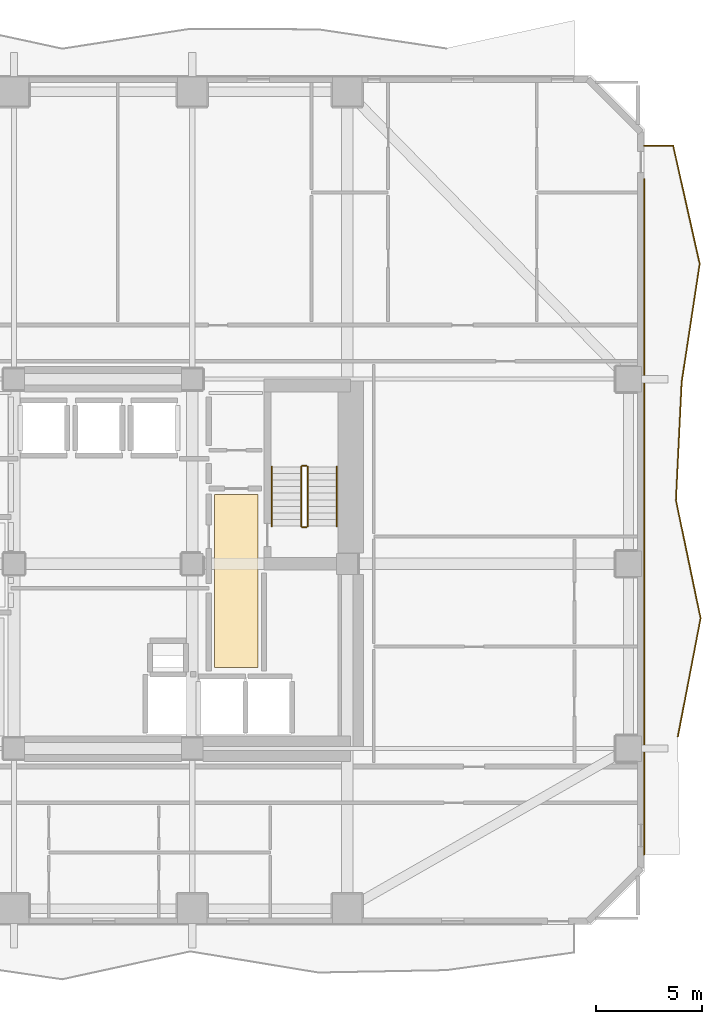
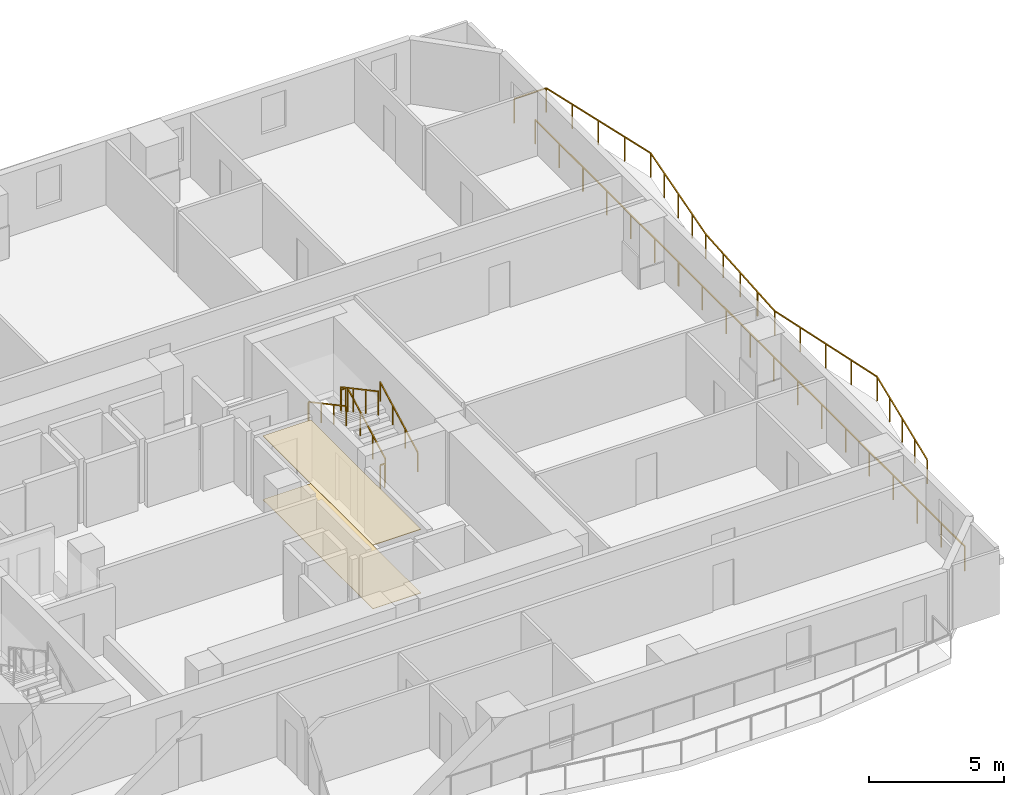
# One storey, part 9 of 10: 8 railings, 2 coverings.
"""IFC4 building model written with IfcOpenShell, lengths in metres."""

from ifc_helpers import new_model, si_unit, direction, frame, origin, origin_2d, place, context, subcontext, project, spatial, polyline, rectangle, outline, extrude, material, layer, layer_set, type_object, element, save


model = new_model("IFC4")

# Units and contexts
model_context = context("Model", 3, precision=1e-05, world=origin(), true_north=direction((0.0, 1.0)))
body_context = subcontext(model_context, "Body", "Model", "MODEL_VIEW")
ifc_project = project(units=[si_unit("LENGTHUNIT", "METRE"), si_unit("AREAUNIT", "SQUARE_METRE"), si_unit("VOLUMEUNIT", "CUBIC_METRE"), si_unit("PLANEANGLEUNIT", "RADIAN"), si_unit("MASSUNIT", "GRAM", prefix="KILO")], contexts=[model_context])

# Site, building, storey
site_placement = place(None, origin())
site = spatial("IfcSite", under=ifc_project, at=site_placement, CompositionType="ELEMENT")
building_placement = place(site_placement, origin())
building = spatial("IfcBuilding", under=site, at=building_placement, Name="Solanera Arch Residences", CompositionType="ELEMENT")
storey_placement = place(building_placement, frame((0.0, 0.0, 78.43994140625)))
storey = spatial("IfcBuildingStorey", under=building, at=storey_placement, Name="L22", CompositionType="ELEMENT", Elevation=78.43994140625)

# Railings
ifc_material_1 = material(Name="Steel S355 (ASTM A992 / A572 Grade 50)", Category="steel")
railing_type_1 = type_object("IfcRailingType", Name="Balustrade Railing BL-1100", PredefinedType="BALUSTRADE", material=ifc_material_1)
railing_1_placement = place(storey_placement, frame((52.076904296875, 22.56689453125, 0.0)))
element("IfcRailing", 1, at=railing_1_placement, inside=storey, type_object=railing_type_1, Name="L22 E Balcony Balustrade 1", PredefinedType="BALUSTRADE", context=body_context, shape_type="SweptSolid", body=[
    extrude(rectangle(XDim=0.048095703125, YDim=0.048095703125, at=origin_2d()), frame((0.0, 0.0, 1.09619140625), z_axis=(0.188954425989, 0.98198585779, 0.0), x_axis=(-0.98198585779, 0.188954425989, 0.0)), (0.0, 0.0, 1.0), 5.668212890625),
    extrude(rectangle(XDim=0.048095703125, YDim=0.048095703125, at=origin_2d()), frame((1.071044921875, 5.566162109375, 1.09619140625), z_axis=(-0.204307401555, 0.978906780889, 0.0), x_axis=(-0.978906780889, -0.204307401555, 0.0)), (0.0, 0.0, 1.0), 5.686767578125),
    extrude(rectangle(XDim=0.048095703125, YDim=0.048095703125, at=origin_2d()), frame((-0.0908203125, 11.133056640625, 1.09619140625), z_axis=(0.048445440001, 0.998825830334, 0.0), x_axis=(-0.998825830334, 0.048445440001, 0.0)), (0.0, 0.0, 1.0), 5.57373046875),
    extrude(rectangle(XDim=0.048095703125, YDim=0.048095703125, at=origin_2d()), frame((0.17919921875, 16.7001953125, 1.09619140625), z_axis=(0.150939477278, 0.988543005741, 0.0), x_axis=(-0.988543005741, 0.150939477278, 0.0)), (0.0, 0.0, 1.0), 5.63037109375),
    extrude(rectangle(XDim=0.048095703125, YDim=0.048095703125, at=origin_2d()), frame((1.029052734375, 22.26611328125, 1.09619140625), z_axis=(-0.219249498416, 0.975668825701, 0.0), x_axis=(-0.975668825701, -0.219249498416, 0.0)), (0.0, 0.0, 1.0), 5.705810546875),
    extrude(rectangle(XDim=0.048095703125, YDim=0.048095703125, at=origin_2d()), frame((-0.221923828125, 27.8330078125, 1.09619140625), z_axis=(-1.0, 0.0, 0.0), x_axis=(0.0, -1.0, 0.0)), (0.0, 0.0, 1.0), 1.375),
    extrude(rectangle(XDim=0.0419921875, YDim=0.0419921875, at=origin_2d()), origin(), (0.0, 0.0, 1.0), 1.072021484375),
    extrude(rectangle(XDim=0.0419921875, YDim=0.0419921875, at=origin_2d()), frame((0.267822265625, 1.3916015625, 0.0)), (0.0, 0.0, 1.0), 1.072021484375),
    extrude(rectangle(XDim=0.0419921875, YDim=0.0419921875, at=origin_2d()), frame((0.53564453125, 2.783203125, 0.0)), (0.0, 0.0, 1.0), 1.072021484375),
    extrude(rectangle(XDim=0.0419921875, YDim=0.0419921875, at=origin_2d()), frame((0.80322265625, 4.174560546875, 0.0)), (0.0, 0.0, 1.0), 1.072021484375),
    extrude(rectangle(XDim=0.0419921875, YDim=0.0419921875, at=origin_2d()), frame((1.071044921875, 5.566162109375, 0.0)), (0.0, 0.0, 1.0), 1.072021484375),
    extrude(rectangle(XDim=0.0419921875, YDim=0.0419921875, at=origin_2d()), frame((0.780517578125, 6.9580078125, 0.0)), (0.0, 0.0, 1.0), 1.072021484375),
    extrude(rectangle(XDim=0.0419921875, YDim=0.0419921875, at=origin_2d()), frame((0.490234375, 8.349609375, 0.0)), (0.0, 0.0, 1.0), 1.072021484375),
    extrude(rectangle(XDim=0.0419921875, YDim=0.0419921875, at=origin_2d()), frame((0.19970703125, 9.7412109375, 0.0)), (0.0, 0.0, 1.0), 1.072021484375),
    extrude(rectangle(XDim=0.0419921875, YDim=0.0419921875, at=origin_2d()), frame((-0.0908203125, 11.133056640625, 0.0)), (0.0, 0.0, 1.0), 1.072021484375),
    extrude(rectangle(XDim=0.0419921875, YDim=0.0419921875, at=origin_2d()), frame((-0.0234375, 12.52490234375, 0.0)), (0.0, 0.0, 1.0), 1.072021484375),
    extrude(rectangle(XDim=0.0419921875, YDim=0.0419921875, at=origin_2d()), frame((0.044189453125, 13.91650390625, 0.0)), (0.0, 0.0, 1.0), 1.072021484375),
    extrude(rectangle(XDim=0.0419921875, YDim=0.0419921875, at=origin_2d()), frame((0.11181640625, 15.308349609375, 0.0)), (0.0, 0.0, 1.0), 1.072021484375),
    extrude(rectangle(XDim=0.0419921875, YDim=0.0419921875, at=origin_2d()), frame((0.17919921875, 16.7001953125, 0.0)), (0.0, 0.0, 1.0), 1.072021484375),
    extrude(rectangle(XDim=0.0419921875, YDim=0.0419921875, at=origin_2d()), frame((0.3916015625, 18.091796875, 0.0)), (0.0, 0.0, 1.0), 1.072021484375),
    extrude(rectangle(XDim=0.0419921875, YDim=0.0419921875, at=origin_2d()), frame((0.60400390625, 19.483154296875, 0.0)), (0.0, 0.0, 1.0), 1.072021484375),
    extrude(rectangle(XDim=0.0419921875, YDim=0.0419921875, at=origin_2d()), frame((0.816650390625, 20.87451171875, 0.0)), (0.0, 0.0, 1.0), 1.072021484375),
    extrude(rectangle(XDim=0.0419921875, YDim=0.0419921875, at=origin_2d()), frame((1.029052734375, 22.26611328125, 0.0)), (0.0, 0.0, 1.0), 1.072021484375),
    extrude(rectangle(XDim=0.0419921875, YDim=0.0419921875, at=origin_2d()), frame((0.71630859375, 23.65771484375, 0.0)), (0.0, 0.0, 1.0), 1.072021484375),
    extrude(rectangle(XDim=0.0419921875, YDim=0.0419921875, at=origin_2d()), frame((0.403564453125, 25.049560546875, 0.0)), (0.0, 0.0, 1.0), 1.072021484375),
    extrude(rectangle(XDim=0.0419921875, YDim=0.0419921875, at=origin_2d()), frame((0.0908203125, 26.44140625, 0.0)), (0.0, 0.0, 1.0), 1.072021484375),
    extrude(rectangle(XDim=0.0419921875, YDim=0.0419921875, at=origin_2d()), frame((-0.221923828125, 27.8330078125, 0.0)), (0.0, 0.0, 1.0), 1.072021484375),
    extrude(rectangle(XDim=0.0419921875, YDim=0.0419921875, at=origin_2d()), frame((-1.596923828125, 27.8330078125, 0.0)), (0.0, 0.0, 1.0), 1.072021484375),
])
railing_2_placement = place(storey_placement, frame((50.47998046875, 48.833984375, 0.0)))
element("IfcRailing", 2, at=railing_2_placement, inside=storey, type_object=railing_type_1, Name="L22 E Balcony Balustrade 2", PredefinedType="BALUSTRADE", context=body_context, shape_type="SweptSolid", body=[
    extrude(rectangle(XDim=0.048095703125, YDim=0.048095703125, at=origin_2d()), frame((0.0, 0.0, 1.09619140625), z_axis=(0.0, -1.0, 0.0), x_axis=(1.0, 0.0, 0.0)), (0.0, 0.0, 1.0), 31.833984375),
    extrude(rectangle(XDim=0.0419921875, YDim=0.0419921875, at=origin_2d()), origin(), (0.0, 0.0, 1.0), 1.072021484375),
    extrude(rectangle(XDim=0.0419921875, YDim=0.0419921875, at=origin_2d()), frame((0.0, -1.7685546875, 0.0)), (0.0, 0.0, 1.0), 1.072021484375),
    extrude(rectangle(XDim=0.0419921875, YDim=0.0419921875, at=origin_2d()), frame((0.0, -3.537109375, 0.0)), (0.0, 0.0, 1.0), 1.072021484375),
    extrude(rectangle(XDim=0.0419921875, YDim=0.0419921875, at=origin_2d()), frame((0.0, -5.3056640625, 0.0)), (0.0, 0.0, 1.0), 1.072021484375),
    extrude(rectangle(XDim=0.0419921875, YDim=0.0419921875, at=origin_2d()), frame((0.0, -7.07421875, 0.0)), (0.0, 0.0, 1.0), 1.072021484375),
    extrude(rectangle(XDim=0.0419921875, YDim=0.0419921875, at=origin_2d()), frame((0.0, -8.8427734375, 0.0)), (0.0, 0.0, 1.0), 1.072021484375),
    extrude(rectangle(XDim=0.0419921875, YDim=0.0419921875, at=origin_2d()), frame((0.0, -10.611328125, 0.0)), (0.0, 0.0, 1.0), 1.072021484375),
    extrude(rectangle(XDim=0.0419921875, YDim=0.0419921875, at=origin_2d()), frame((0.0, -12.3798828125, 0.0)), (0.0, 0.0, 1.0), 1.072021484375),
    extrude(rectangle(XDim=0.0419921875, YDim=0.0419921875, at=origin_2d()), frame((0.0, -14.1484375, 0.0)), (0.0, 0.0, 1.0), 1.072021484375),
    extrude(rectangle(XDim=0.0419921875, YDim=0.0419921875, at=origin_2d()), frame((0.0, -15.9169921875, 0.0)), (0.0, 0.0, 1.0), 1.072021484375),
    extrude(rectangle(XDim=0.0419921875, YDim=0.0419921875, at=origin_2d()), frame((0.0, -17.685546875, 0.0)), (0.0, 0.0, 1.0), 1.072021484375),
    extrude(rectangle(XDim=0.0419921875, YDim=0.0419921875, at=origin_2d()), frame((0.0, -19.4541015625, 0.0)), (0.0, 0.0, 1.0), 1.072021484375),
    extrude(rectangle(XDim=0.0419921875, YDim=0.0419921875, at=origin_2d()), frame((0.0, -21.22265625, 0.0)), (0.0, 0.0, 1.0), 1.072021484375),
    extrude(rectangle(XDim=0.0419921875, YDim=0.0419921875, at=origin_2d()), frame((0.0, -22.9912109375, 0.0)), (0.0, 0.0, 1.0), 1.072021484375),
    extrude(rectangle(XDim=0.0419921875, YDim=0.0419921875, at=origin_2d()), frame((0.0, -24.759765625, 0.0)), (0.0, 0.0, 1.0), 1.072021484375),
    extrude(rectangle(XDim=0.0419921875, YDim=0.0419921875, at=origin_2d()), frame((0.0, -26.5283203125, 0.0)), (0.0, 0.0, 1.0), 1.072021484375),
    extrude(rectangle(XDim=0.0419921875, YDim=0.0419921875, at=origin_2d()), frame((0.0, -28.296875, 0.0)), (0.0, 0.0, 1.0), 1.072021484375),
    extrude(rectangle(XDim=0.0419921875, YDim=0.0419921875, at=origin_2d()), frame((0.0, -30.0654296875, 0.0)), (0.0, 0.0, 1.0), 1.072021484375),
    extrude(rectangle(XDim=0.0419921875, YDim=0.0419921875, at=origin_2d()), frame((0.0, -31.833984375, 0.0)), (0.0, 0.0, 1.0), 1.072021484375),
])

# Covering
ifc_material_2 = material(Name="Porcelain Acoustic Floor Tile", Category="ceramic")
ifc_layer_1 = layer(ifc_material_2, 0.02001953125)
ifc_layer_set_1 = layer_set([ifc_layer_1], Name="Porcelain Acoustic Floor Tile")
covering_type_1 = type_object("IfcCoveringType", Name="Porcelain Acoustic Floor Finish FLR-20", PredefinedType="FLOORING", material=ifc_layer_set_1)
covering_1_placement = place(storey_placement, origin())
element("IfcCovering", 3, at=covering_1_placement, inside=storey, type_object=covering_type_1, Name="L22-FFL-E Porcelain Floor Finish", PredefinedType="FLOORING", context=body_context, shape_type="SweptSolid", body=[
    extrude(outline(polyline([(32.304931640625, 25.824951171875), (30.25, 25.824951171875), (30.25, 33.97509765625), (32.304931640625, 33.97509765625), (32.304931640625, 25.824951171875)])), origin(), (0.0, 0.0, 1.0), 0.02001953125),
])

# Railings
ifc_material_3 = material(Name="Steel S355 (ASTM A992 / A572 Grade 50)", Category="steel")
railing_type_2 = type_object("IfcRailingType", Name="Stair Guardrail GR-1100", PredefinedType="GUARDRAIL", material=ifc_material_3)
railing_3_placement = place(storey_placement, frame((34.6298828125, 32.47998046875, 0.151123046875)))
element("IfcRailing", 4, at=railing_3_placement, inside=storey, type_object=railing_type_2, Name="L22 ST-T2 stair guard 1", PredefinedType="GUARDRAIL", context=body_context, shape_type="SweptSolid", body=[
    extrude(rectangle(XDim=0.048095703125, YDim=0.048095703125, at=origin_2d()), frame((0.0, 0.0, 1.076171875), z_axis=(0.0, 0.881580869306, 0.472033018838), x_axis=(-1.0, 0.0, 0.0)), (0.0, 0.0, 1.0), 3.164794921875),
    extrude(rectangle(XDim=0.0419921875, YDim=0.0419921875, at=origin_2d()), origin(), (0.0, 0.0, 1.0), 1.052001953125),
    extrude(rectangle(XDim=0.0419921875, YDim=0.0419921875, at=origin_2d()), frame((0.0, 0.929931640625, 0.498046875)), (0.0, 0.0, 1.0), 1.052001953125),
    extrude(rectangle(XDim=0.0419921875, YDim=0.0419921875, at=origin_2d()), frame((0.0, 1.860107421875, 0.995849609375)), (0.0, 0.0, 1.0), 1.052001953125),
    extrude(rectangle(XDim=0.0419921875, YDim=0.0419921875, at=origin_2d()), frame((0.0, 2.7900390625, 1.493896484375)), (0.0, 0.0, 1.0), 1.052001953125),
])
railing_4_placement = place(storey_placement, frame((34.580078125, 35.320068359375, 1.64501953125)))
element("IfcRailing", 5, at=railing_4_placement, inside=storey, type_object=railing_type_2, Name="L22 ST-T2 stair guard 2", PredefinedType="GUARDRAIL", context=body_context, shape_type="SweptSolid", body=[
    extrude(rectangle(XDim=0.048095703125, YDim=0.048095703125, at=origin_2d()), frame((0.0, 0.0, 1.076171875), z_axis=(-1.0, 0.0, 0.0), x_axis=(0.0, -1.0, 0.0)), (0.0, 0.0, 1.0), 0.2001953125),
    extrude(rectangle(XDim=0.0419921875, YDim=0.0419921875, at=origin_2d()), origin(), (0.0, 0.0, 1.0), 1.052001953125),
    extrude(rectangle(XDim=0.0419921875, YDim=0.0419921875, at=origin_2d()), frame((-0.2001953125, 0.0, 0.0)), (0.0, 0.0, 1.0), 1.052001953125),
])
railing_5_placement = place(storey_placement, frame((34.330078125, 35.27001953125, 1.81103515625)))
element("IfcRailing", 6, at=railing_5_placement, inside=storey, type_object=railing_type_2, Name="L22 ST-T2 stair guard 3", PredefinedType="GUARDRAIL", context=body_context, shape_type="SweptSolid", body=[
    extrude(rectangle(XDim=0.048095703125, YDim=0.048095703125, at=origin_2d()), frame((0.0, 0.0, 1.076171875), z_axis=(0.0, -0.881548766853, 0.472092969298), x_axis=(1.0, 0.0, 0.0)), (0.0, 0.0, 1.0), 3.1650390625),
    extrude(rectangle(XDim=0.0419921875, YDim=0.0419921875, at=origin_2d()), origin(), (0.0, 0.0, 1.0), 1.052001953125),
    extrude(rectangle(XDim=0.0419921875, YDim=0.0419921875, at=origin_2d()), frame((0.0, -0.929931640625, 0.498046875)), (0.0, 0.0, 1.0), 1.052001953125),
    extrude(rectangle(XDim=0.0419921875, YDim=0.0419921875, at=origin_2d()), frame((0.0, -1.860107421875, 0.99609375)), (0.0, 0.0, 1.0), 1.052001953125),
    extrude(rectangle(XDim=0.0419921875, YDim=0.0419921875, at=origin_2d()), frame((0.0, -2.7900390625, 1.494140625)), (0.0, 0.0, 1.0), 1.052001953125),
])
railing_6_placement = place(storey_placement, frame((34.580078125, 32.429931640625, -0.014892578125)))
element("IfcRailing", 7, at=railing_6_placement, inside=storey, type_object=railing_type_2, Name="L22 ST-T2 stair guard 4", PredefinedType="GUARDRAIL", context=body_context, shape_type="SweptSolid", body=[
    extrude(rectangle(XDim=0.048095703125, YDim=0.048095703125, at=origin_2d()), frame((0.0, 0.0, 1.076171875), z_axis=(-1.0, 0.0, 0.0), x_axis=(0.0, -1.0, 0.0)), (0.0, 0.0, 1.0), 0.2001953125),
    extrude(rectangle(XDim=0.0419921875, YDim=0.0419921875, at=origin_2d()), origin(), (0.0, 0.0, 1.0), 1.052001953125),
    extrude(rectangle(XDim=0.0419921875, YDim=0.0419921875, at=origin_2d()), frame((-0.2001953125, 0.0, 0.0)), (0.0, 0.0, 1.0), 1.052001953125),
])
ifc_material_4 = material(Name="Steel S355 (ASTM A992 / A572 Grade 50)", Category="steel")
railing_type_3 = type_object("IfcRailingType", Name="Stair Wall Handrail HR-920", PredefinedType="HANDRAIL", material=ifc_material_4)
railing_7_placement = place(storey_placement, frame((36.010009765625, 32.47998046875, 0.166015625)))
element("IfcRailing", 8, at=railing_7_placement, inside=storey, type_object=railing_type_3, Name="L22 ST-T2 stair handrail 1", PredefinedType="HANDRAIL", context=body_context, shape_type="SweptSolid", body=[
    extrude(rectangle(XDim=0.048095703125, YDim=0.048095703125, at=origin_2d()), frame((0.0, 0.0, 0.8759765625), z_axis=(0.0, 0.881548766853, 0.472092969298), x_axis=(-1.0, 0.0, 0.0)), (0.0, 0.0, 1.0), 3.1650390625),
    extrude(rectangle(XDim=0.0419921875, YDim=0.0419921875, at=origin_2d()), origin(), (0.0, 0.0, 1.0), 0.851806640625),
    extrude(rectangle(XDim=0.0419921875, YDim=0.0419921875, at=origin_2d()), frame((0.0, 0.929931640625, 0.498046875)), (0.0, 0.0, 1.0), 0.851806640625),
    extrude(rectangle(XDim=0.0419921875, YDim=0.0419921875, at=origin_2d()), frame((0.0, 1.860107421875, 0.99609375)), (0.0, 0.0, 1.0), 0.851806640625),
    extrude(rectangle(XDim=0.0419921875, YDim=0.0419921875, at=origin_2d()), frame((0.0, 2.7900390625, 1.494140625)), (0.0, 0.0, 1.0), 0.851806640625),
])
railing_8_placement = place(storey_placement, frame((32.949951171875, 35.27001953125, 1.826171875)))
element("IfcRailing", 9, at=railing_8_placement, inside=storey, type_object=railing_type_3, Name="L22 ST-T2 stair handrail 2", PredefinedType="HANDRAIL", context=body_context, shape_type="SweptSolid", body=[
    extrude(rectangle(XDim=0.048095703125, YDim=0.048095703125, at=origin_2d()), frame((0.0, 0.0, 0.8759765625), z_axis=(0.0, -0.881580869306, 0.472033018838), x_axis=(1.0, 0.0, 0.0)), (0.0, 0.0, 1.0), 3.164794921875),
    extrude(rectangle(XDim=0.0419921875, YDim=0.0419921875, at=origin_2d()), origin(), (0.0, 0.0, 1.0), 0.851806640625),
    extrude(rectangle(XDim=0.0419921875, YDim=0.0419921875, at=origin_2d()), frame((0.0, -0.929931640625, 0.498046875)), (0.0, 0.0, 1.0), 0.851806640625),
    extrude(rectangle(XDim=0.0419921875, YDim=0.0419921875, at=origin_2d()), frame((0.0, -1.860107421875, 0.995849609375)), (0.0, 0.0, 1.0), 0.851806640625),
    extrude(rectangle(XDim=0.0419921875, YDim=0.0419921875, at=origin_2d()), frame((0.0, -2.7900390625, 1.493896484375)), (0.0, 0.0, 1.0), 0.851806640625),
])

# Covering
ifc_material_5 = material(Name="Mineral Fibre Acoustic Ceiling Board", Category="gypsum")
ifc_layer_2 = layer(ifc_material_5, 0.02490234375)
ifc_layer_set_2 = layer_set([ifc_layer_2], Name="Mineral Fibre Acoustic Ceiling Board")
covering_type_2 = type_object("IfcCoveringType", Name="Suspended Acoustic Ceiling Board CLG-25", PredefinedType="CEILING", material=ifc_layer_set_2)
covering_2_placement = place(storey_placement, frame((0.0, 0.0, 2.875)))
element("IfcCovering", 10, at=covering_2_placement, inside=storey, type_object=covering_type_2, Name="L22-FFL-E Acoustic Ceiling", PredefinedType="CEILING", context=body_context, shape_type="SweptSolid", body=[
    extrude(outline(polyline([(32.304931640625, 25.824951171875), (30.25, 25.824951171875), (30.25, 33.97509765625), (32.304931640625, 33.97509765625), (32.304931640625, 25.824951171875)])), origin(), (0.0, 0.0, 1.0), 0.025146484375),
])

save(model, "model.ifc")
